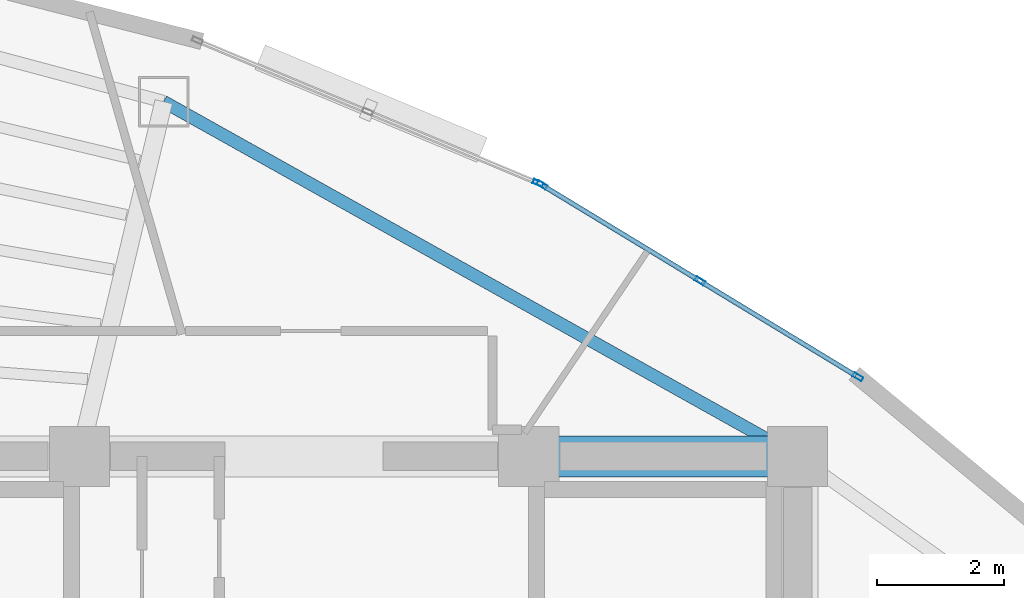
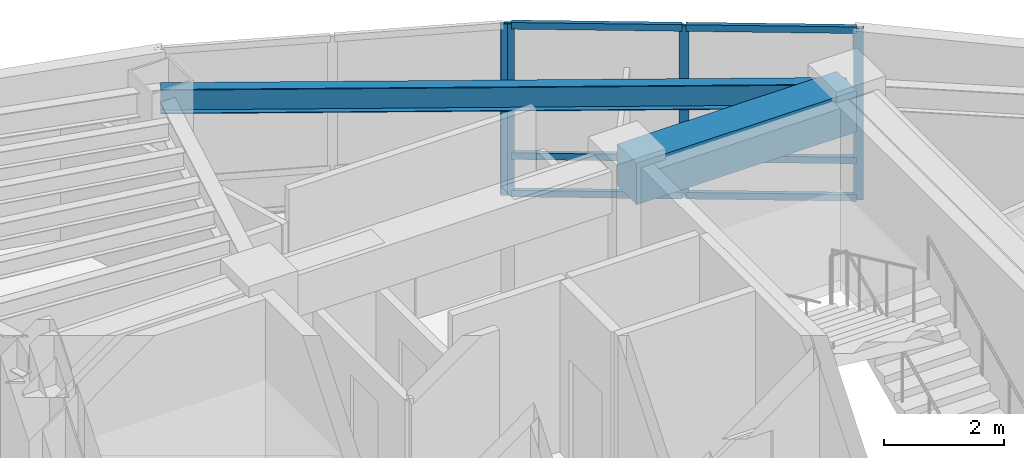
# One storey, part 10 of 15: 10 members, 2 beams, 2 elements without a shape of their own.
"""IFC4 building model written with IfcOpenShell, lengths in metres."""

import ifcopenshell
import ifcopenshell.guid

model = None  # the IFC model being written
_history = None  # IfcOwnerHistory: only IFC2X3 demands one
_inside = {}  # id of a spatial element -> (the spatial element, [elements in it])
_under = {}  # id of a project, library or spatial element -> (it, [spatial elements below it])
_declared = {}  # id of a project -> (the project, [libraries it declares])
_typed = {}  # id of a type object -> (the type object, [elements of that type])
_made_of = {}  # id of a material, layer set ... -> (it, [elements and type objects made of it])


def new_model(schema):
    """Start an empty IFC model of exactly this schema.

    Asked for "IFC4X3", IfcOpenShell would pick the latest addendum, in which some entities
    have other attributes; the version numbers below select the first issue.
    IFC2X3 requires an IfcOwnerHistory on every rooted entity: one is made here for all.
    """
    global model, _history
    if schema == "IFC4X3":
        model = ifcopenshell.file(schema_version=(4, 3, 0, 0))
    else:
        model = ifcopenshell.file(schema=schema)
    _inside.clear()
    _under.clear()
    _declared.clear()
    _typed.clear()
    _made_of.clear()
    _history = None
    if model.schema == "IFC2X3":
        org = make("IfcOrganization", Name="unknown")
        user = make(
            "IfcPersonAndOrganization",
            ThePerson=make("IfcPerson", FamilyName="unknown"),
            TheOrganization=org,
        )
        app = make(
            "IfcApplication",
            ApplicationDeveloper=org,
            Version="unknown",
            ApplicationFullName="unknown",
            ApplicationIdentifier="unknown",
        )
        _history = make(
            "IfcOwnerHistory",
            OwningUser=user,
            OwningApplication=app,
            ChangeAction="ADDED",
            CreationDate=0,
        )
    return model


def make(cls, **values):
    """One entity of the class cls with the attributes given. An attribute that is None is left unset."""
    return model.create_entity(
        cls, **{name: value for name, value in values.items() if value is not None}
    )


def rooted(cls, **values):
    """An entity with a GlobalId (a new one), such as an element, a storey or a relation."""
    return make(cls, GlobalId=ifcopenshell.guid.new(), OwnerHistory=_history, **values)


def si_unit(unit_type, name, prefix=None):
    """IfcSIUnit, for example si_unit("LENGTHUNIT", "METRE", prefix="MILLI")."""
    return make("IfcSIUnit", UnitType=unit_type, Prefix=prefix, Name=name)


def assignment(units):
    """IfcUnitAssignment: the units of a project."""
    return None if units is None else make("IfcUnitAssignment", Units=units)


def point(xyz):
    """IfcCartesianPoint."""
    return None if xyz is None else make("IfcCartesianPoint", Coordinates=xyz)


def direction(xyz):
    """IfcDirection."""
    return None if xyz is None else make("IfcDirection", DirectionRatios=xyz)


def frame(location, z_axis=None, x_axis=None):
    """IfcAxis2Placement3D, a coordinate frame: its origin and axes. An axis left out is left unset."""
    return make(
        "IfcAxis2Placement3D",
        Location=point(location),
        Axis=direction(z_axis),
        RefDirection=direction(x_axis),
    )


def frame_2d(location, x_axis=None):
    """IfcAxis2Placement2D, a coordinate frame in the plane: its origin and x axis."""
    return make(
        "IfcAxis2Placement2D", Location=point(location), RefDirection=direction(x_axis)
    )


def origin():
    """The frame at (0, 0, 0) with its axes left unset."""
    return frame((0.0, 0.0, 0.0))


def origin_2d():
    """The frame at (0, 0) in the plane with its x axis left unset."""
    return frame_2d((0.0, 0.0))


def place(relative_to, where):
    """IfcLocalPlacement: puts the frame where relative to a parent placement (None: the world)."""
    return make(
        "IfcLocalPlacement", PlacementRelTo=relative_to, RelativePlacement=where
    )


def context(
    kind, dimensions, precision=None, world=None, true_north=None, identifier=None
):
    """IfcGeometricRepresentationContext, for example the 3D "Model" context."""
    return make(
        "IfcGeometricRepresentationContext",
        ContextIdentifier=identifier,
        ContextType=kind,
        CoordinateSpaceDimension=dimensions,
        Precision=precision,
        WorldCoordinateSystem=world,
        TrueNorth=true_north,
    )


def subcontext(parent, identifier, kind, view, scale=None):
    """IfcGeometricRepresentationSubContext, for example "Body" below "Model"."""
    return make(
        "IfcGeometricRepresentationSubContext",
        ContextIdentifier=identifier,
        ContextType=kind,
        ParentContext=parent,
        TargetScale=scale,
        TargetView=view,
    )


def project(units=None, contexts=None):
    """IfcProject with its units and contexts."""
    return rooted(
        "IfcProject",
        Name="project",
        RepresentationContexts=contexts,
        UnitsInContext=assignment(units),
    )


def spatial(cls, under=None, at=None, **own):
    """A site, building, storey or space (cls), placed at a placement, below another one or the project."""
    s = rooted(cls, ObjectPlacement=at, **own)
    if under is not None:
        _under.setdefault(under.id(), (under, []))[1].append(s)
    return s


def profile(cls, at=None, kind="AREA", **sizes):
    """A parametric profile (cls). Its sizes go by their IFC names, for example OverallWidth=200.0."""
    return make(cls, ProfileType=kind, Position=at, **sizes)


def rectangle(**sizes):
    """IfcRectangleProfileDef."""
    return profile("IfcRectangleProfileDef", **sizes)


def hollow_rectangle(**sizes):
    """IfcRectangleHollowProfileDef."""
    return profile("IfcRectangleHollowProfileDef", **sizes)


def i_section(**sizes):
    """IfcIShapeProfileDef."""
    return profile("IfcIShapeProfileDef", **sizes)


def extrude(swept, where, along, depth):
    """IfcExtrudedAreaSolid: the profile swept, set in the frame where, extruded along a direction by depth."""
    return make(
        "IfcExtrudedAreaSolid",
        SweptArea=swept,
        Position=where,
        ExtrudedDirection=direction(along),
        Depth=depth,
    )


def shape(context_of_items, identifier, shape_type, items):
    """IfcShapeRepresentation: the items that make up one representation, for example the "Body"."""
    return make(
        "IfcShapeRepresentation",
        ContextOfItems=context_of_items,
        RepresentationIdentifier=identifier,
        RepresentationType=shape_type,
        Items=items,
    )


def material(Name=None, Category=None):
    """IfcMaterial."""
    return make("IfcMaterial", Name=Name, Category=Category)


def layer(
    of_material, thickness, ventilated=None, Name=None, Category=None, Priority=None
):
    """IfcMaterialLayer: one layer of a wall or slab, of a material (None: an air gap)."""
    return make(
        "IfcMaterialLayer",
        Material=of_material,
        LayerThickness=thickness,
        IsVentilated=ventilated,
        Name=Name,
        Category=Category,
        Priority=Priority,
    )


def layer_set(layers, Name=None):
    """IfcMaterialLayerSet."""
    return make("IfcMaterialLayerSet", MaterialLayers=layers, LayerSetName=Name)


def material_profile(
    of_material, cross_section, Name=None, Category=None, Priority=None
):
    """IfcMaterialProfile: a cross section and its material."""
    return make(
        "IfcMaterialProfile",
        Name=Name,
        Material=of_material,
        Profile=cross_section,
        Priority=Priority,
        Category=Category,
    )


def profile_set(profiles, Name=None, composite=None):
    """IfcMaterialProfileSet."""
    return make(
        "IfcMaterialProfileSet",
        Name=Name,
        MaterialProfiles=profiles,
        CompositeProfile=composite,
    )


def made_of(thing, what):
    """Note that an element or type object is made of a material, layer set ...; save() writes the relation."""
    if what is not None:
        _made_of.setdefault(what.id(), (what, []))[1].append(thing)
    return thing


def type_object(cls, material=None, **own):
    """A type object (cls), such as IfcWallType, which elements share."""
    return made_of(rooted(cls, **own), material)


def element(
    cls,
    number,
    at=None,
    inside=None,
    cuts=None,
    type_object=None,
    material=None,
    context=None,
    identifier="Body",
    shape_type=None,
    held_by="IfcProductDefinitionShape",
    body=None,
    shapes=None,
    **own,
):
    """One element of the class cls, such as IfcWall. Its Tag is "e" and its number.

    at: its placement. inside: the storey or other place that contains it. cuts: it is an
    opening in that element (IfcRelVoidsElement). A single representation is given by context,
    identifier, shape_type and body (its items); several are given by shapes. held_by: the class
    of the entity that holds the representations. save() writes the other relations.
    """
    e = rooted(cls, Tag="e%d" % number, ObjectPlacement=at, **own)
    if body is not None:
        shapes = [shape(context, identifier, shape_type, body)]
    if shapes is not None:
        e.Representation = make(held_by, Representations=shapes)
    if inside is not None:
        _inside.setdefault(inside.id(), (inside, []))[1].append(e)
    if cuts is not None:
        rooted(
            "IfcRelVoidsElement", RelatingBuildingElement=cuts, RelatedOpeningElement=e
        )
    if type_object is not None:
        _typed.setdefault(type_object.id(), (type_object, []))[1].append(e)
    return made_of(e, material)


def aggregate(whole, parts):
    """IfcRelAggregates: a whole, such as a stair, and the parts it consists of."""
    return rooted("IfcRelAggregates", RelatingObject=whole, RelatedObjects=parts)


def save(model, path):
    """Write the relations noted so far, then the file.

    IfcRelAggregates (storeys below a building ...), IfcRelContainedInSpatialStructure (elements
    in a storey), IfcRelDefinesByType, IfcRelAssociatesMaterial and IfcRelDeclares: one each for
    every whole, place, type object, material and project.
    """
    for whole, parts in _under.values():
        aggregate(whole, parts)
    for where, things in _inside.values():
        rooted(
            "IfcRelContainedInSpatialStructure",
            RelatedElements=things,
            RelatingStructure=where,
        )
    for kind, things in _typed.values():
        rooted("IfcRelDefinesByType", RelatedObjects=things, RelatingType=kind)
    for what, things in _made_of.values():
        rooted("IfcRelAssociatesMaterial", RelatedObjects=things, RelatingMaterial=what)
    for by, libraries in _declared.values():
        rooted("IfcRelDeclares", RelatingContext=by, RelatedDefinitions=libraries)
    model.write(path)


model = new_model("IFC4")

# Units and contexts
model_context = context("Model", 3, precision=1e-05, world=origin(), true_north=direction((0.0, 1.0)))
body_context = subcontext(model_context, "Body", "Model", "MODEL_VIEW")
ifc_project = project(units=[si_unit("LENGTHUNIT", "METRE"), si_unit("AREAUNIT", "SQUARE_METRE"), si_unit("VOLUMEUNIT", "CUBIC_METRE"), si_unit("PLANEANGLEUNIT", "RADIAN"), si_unit("MASSUNIT", "GRAM", prefix="KILO")], contexts=[model_context])

# Site, building, storey
site_placement = place(None, origin())
site = spatial("IfcSite", under=ifc_project, at=site_placement, CompositionType="ELEMENT")
building_placement = place(site_placement, origin())
building = spatial("IfcBuilding", under=site, at=building_placement, Name="Menara Vayukalpa", CompositionType="ELEMENT")
storey_placement = place(building_placement, frame((0.0, 0.0, 284.340087890625)))
storey = spatial("IfcBuildingStorey", under=building, at=storey_placement, Name="L72", CompositionType="ELEMENT", Elevation=284.340087890625)

# Beams
ifc_material_1 = material(Name="Concrete C60/75", Category="concrete")
ifc_material_profile_1 = material_profile(ifc_material_1, rectangle(XDim=0.64990234375, YDim=0.85009765625, at=origin_2d()), Name="RC 650x850")
ifc_profile_set_1 = profile_set([ifc_material_profile_1], Name="Concrete C60/75")
beam_type_1 = type_object("IfcBeamType", Name="BM-CB1", PredefinedType="BEAM", material=ifc_profile_set_1)
beam_1_placement = place(storey_placement, frame((29.14990234375, 26.800048828125, 3.074951171875), z_axis=(1.0, 0.0, 0.0), x_axis=(0.0, 1.0, 0.0)))
element("IfcBeam", 1, at=beam_1_placement, inside=storey, type_object=beam_type_1, Name="L72 Core Tie Beam CBR6", PredefinedType="BEAM", context=body_context, shape_type="SweptSolid", body=[
    extrude(rectangle(XDim=0.64990234375, YDim=0.85009765625, at=origin_2d()), origin(), (0.0, 0.0, 1.0), 4.25),
])
ifc_material_2 = material(Name="Steel S355", Category="steel")
ifc_material_profile_2 = material_profile(ifc_material_2, i_section(OverallWidth=0.199951171875, OverallDepth=0.5, WebThickness=0.010009765625, FlangeThickness=0.01611328125, at=origin_2d()), Name="WF 500x200x10x16")
ifc_profile_set_2 = profile_set([ifc_material_profile_2], Name="Steel S355")
beam_type_2 = type_object("IfcBeamType", Name="BM-SP3", PredefinedType="SPANDREL", material=ifc_profile_set_2)
beam_2_placement = place(storey_placement, frame((33.39990234375, 26.800048828125, 3.25), z_axis=(-0.87270577288, 0.48824648896, 0.0), x_axis=(-0.48824648896, -0.87270577288, 0.0)))
element("IfcBeam", 2, at=beam_2_placement, inside=storey, type_object=beam_type_2, Name="L72 Perimeter Spandrel Beam SP02", PredefinedType="SPANDREL", context=body_context, shape_type="SweptSolid", body=[
    extrude(i_section(OverallWidth=0.199951171875, OverallDepth=0.5, WebThickness=0.010009765625, FlangeThickness=0.01611328125, at=origin_2d()), origin(), (0.0, 0.0, 1.0), 11.479248046875),
])

# Curtain wall, members
ifc_material_3 = material(Name="Anodised Terracotta Aluminium Alloy 6063-T6", Category="masonry")
ifc_layer = layer(ifc_material_3, 0.1650390625)
ifc_layer_set = layer_set([ifc_layer], Name="Anodised Terracotta Aluminium Alloy 6063-T6")
curtain_wall_type = type_object("IfcCurtainWallType", Name="CW-CW6", PredefinedType="USERDEFINED", material=ifc_layer_set)
curtain_wall_1_placement = place(storey_placement, origin())
curtain_wall_1 = element("IfcCurtainWall", 3, at=curtain_wall_1_placement, inside=storey, type_object=curtain_wall_type, Name="L72 Observation and Executive Curtain Wall CW6 04", ObjectType="UNITISED", PredefinedType="USERDEFINED")
ifc_material_4 = material(Name="Anodised Terracotta Aluminium Alloy 6063-T6", Category="masonry")
ifc_material_profile_3 = material_profile(ifc_material_4, hollow_rectangle(XDim=0.070068359375, YDim=0.1650390625, WallThickness=0.00390625, at=origin_2d()), Name="ALU 70x165x4")
ifc_profile_set_3 = profile_set([ifc_material_profile_3], Name="Anodised Terracotta Aluminium Alloy 6063-T6")
member_type_1 = type_object("IfcMemberType", Name="CWM-CW6", PredefinedType="MULLION", material=ifc_profile_set_3)
member_1_placement = place(storey_placement, frame((34.35009765625, 28.056396484375, 0.0), z_axis=(0.0, 0.0, 1.0), x_axis=(-0.519175574558, -0.854667609532, 0.0)))
member_1 = element("IfcMember", 4, at=member_1_placement, type_object=member_type_1, Name="CW6 mullion 1", PredefinedType="MULLION", context=body_context, shape_type="SweptSolid", body=[
    extrude(hollow_rectangle(XDim=0.070068359375, YDim=0.1650390625, WallThickness=0.00390625, at=origin_2d()), origin(), (0.0, 0.0, 1.0), 3.5),
])
member_2_placement = place(storey_placement, frame((31.85546875, 29.57177734375, 0.0), z_axis=(0.0, 0.0, 1.0), x_axis=(-0.519175574558, -0.854667609532, 0.0)))
member_2 = element("IfcMember", 5, at=member_2_placement, type_object=member_type_1, Name="CW6 mullion 2", PredefinedType="MULLION", context=body_context, shape_type="SweptSolid", body=[
    extrude(hollow_rectangle(XDim=0.070068359375, YDim=0.1650390625, WallThickness=0.00390625, at=origin_2d()), origin(), (0.0, 0.0, 1.0), 3.5),
])
member_3_placement = place(storey_placement, frame((29.36083984375, 31.087158203125, 0.0), z_axis=(0.0, 0.0, 1.0), x_axis=(-0.519175574558, -0.854667609532, 0.0)))
member_3 = element("IfcMember", 6, at=member_3_placement, type_object=member_type_1, Name="CW6 mullion 3", PredefinedType="MULLION", context=body_context, shape_type="SweptSolid", body=[
    extrude(hollow_rectangle(XDim=0.070068359375, YDim=0.1650390625, WallThickness=0.00390625, at=origin_2d()), origin(), (0.0, 0.0, 1.0), 3.5),
])

# Curtain wall, member
curtain_wall_2_placement = place(storey_placement, origin())
curtain_wall_2 = element("IfcCurtainWall", 7, at=curtain_wall_2_placement, inside=storey, type_object=curtain_wall_type, Name="L72 Observation and Executive Curtain Wall CW6 05", ObjectType="UNITISED", PredefinedType="USERDEFINED")
member_4_placement = place(storey_placement, frame((29.298828125, 31.118896484375, 0.0), z_axis=(0.0, 0.0, 1.0), x_axis=(-0.385899911703, -0.922540653927, 0.0)))
member_4 = element("IfcMember", 8, at=member_4_placement, type_object=member_type_1, Name="CW6 mullion 1", PredefinedType="MULLION", context=body_context, shape_type="SweptSolid", body=[
    extrude(hollow_rectangle(XDim=0.070068359375, YDim=0.1650390625, WallThickness=0.00390625, at=origin_2d()), origin(), (0.0, 0.0, 1.0), 3.5),
])
aggregate(curtain_wall_2, [member_4])

# Member
ifc_material_5 = material(Name="Anodised Terracotta Aluminium Alloy 6063-T6", Category="masonry")
ifc_material_profile_4 = material_profile(ifc_material_5, hollow_rectangle(XDim=0.074951171875, YDim=0.135009765625, WallThickness=0.00390625, at=origin_2d()), Name="ALU 75x135x4")
ifc_profile_set_4 = profile_set([ifc_material_profile_4], Name="Anodised Terracotta Aluminium Alloy 6063-T6")
member_type_2 = type_object("IfcMemberType", Name="CWT-CW6", PredefinedType="USERDEFINED", material=ifc_profile_set_4)
member_5_placement = place(storey_placement, frame((34.320068359375, 28.07470703125, 0.037353515625), z_axis=(-0.854674800659, 0.519163736328, 0.0), x_axis=(-0.519163736328, -0.85467480066, 0.0)))
member_5 = element("IfcMember", 9, at=member_5_placement, type_object=member_type_2, Name="CW6 transom 1.1", ObjectType="TRANSOM", PredefinedType="USERDEFINED", context=body_context, shape_type="SweptSolid", body=[
    extrude(hollow_rectangle(XDim=0.074951171875, YDim=0.135009765625, WallThickness=0.00390625, at=origin_2d()), origin(), (0.0, 0.0, 1.0), 2.848876953125),
])

member_6_placement = place(storey_placement, frame((34.320068359375, 28.07470703125, 0.7998046875), z_axis=(-0.854674800659, 0.519163736328, 0.0), x_axis=(-0.519163736328, -0.85467480066, 0.0)))
member_6 = element("IfcMember", 10, at=member_6_placement, type_object=member_type_2, Name="CW6 transom 1.2", ObjectType="TRANSOM", PredefinedType="USERDEFINED", context=body_context, shape_type="SweptSolid", body=[
    extrude(hollow_rectangle(XDim=0.074951171875, YDim=0.135009765625, WallThickness=0.00390625, at=origin_2d()), origin(), (0.0, 0.0, 1.0), 2.848876953125),
])

member_7_placement = place(storey_placement, frame((34.320068359375, 28.07470703125, 3.46240234375), z_axis=(-0.854674800659, 0.519163736328, 0.0), x_axis=(-0.519163736328, -0.85467480066, 0.0)))
member_7 = element("IfcMember", 11, at=member_7_placement, type_object=member_type_2, Name="CW6 transom 1.3", ObjectType="TRANSOM", PredefinedType="USERDEFINED", context=body_context, shape_type="SweptSolid", body=[
    extrude(hollow_rectangle(XDim=0.074951171875, YDim=0.135009765625, WallThickness=0.00390625, at=origin_2d()), origin(), (0.0, 0.0, 1.0), 2.848876953125),
])

member_8_placement = place(storey_placement, frame((31.825439453125, 29.590087890625, 0.037353515625), z_axis=(-0.854689729536, 0.519139158825, 0.0), x_axis=(-0.519139158825, -0.854689729536, 0.0)))
member_8 = element("IfcMember", 12, at=member_8_placement, type_object=member_type_2, Name="CW6 transom 2.1", ObjectType="TRANSOM", PredefinedType="USERDEFINED", context=body_context, shape_type="SweptSolid", body=[
    extrude(hollow_rectangle(XDim=0.074951171875, YDim=0.135009765625, WallThickness=0.00390625, at=origin_2d()), origin(), (0.0, 0.0, 1.0), 2.848388671875),
])

member_9_placement = place(storey_placement, frame((31.825439453125, 29.590087890625, 0.7998046875), z_axis=(-0.854689729536, 0.519139158825, 0.0), x_axis=(-0.519139158825, -0.854689729536, 0.0)))
member_9 = element("IfcMember", 13, at=member_9_placement, type_object=member_type_2, Name="CW6 transom 2.2", ObjectType="TRANSOM", PredefinedType="USERDEFINED", context=body_context, shape_type="SweptSolid", body=[
    extrude(hollow_rectangle(XDim=0.074951171875, YDim=0.135009765625, WallThickness=0.00390625, at=origin_2d()), origin(), (0.0, 0.0, 1.0), 2.848388671875),
])

member_10_placement = place(storey_placement, frame((31.825439453125, 29.590087890625, 3.46240234375), z_axis=(-0.854689729536, 0.519139158825, 0.0), x_axis=(-0.519139158825, -0.854689729536, 0.0)))
member_10 = element("IfcMember", 14, at=member_10_placement, type_object=member_type_2, Name="CW6 transom 2.3", ObjectType="TRANSOM", PredefinedType="USERDEFINED", context=body_context, shape_type="SweptSolid", body=[
    extrude(hollow_rectangle(XDim=0.074951171875, YDim=0.135009765625, WallThickness=0.00390625, at=origin_2d()), origin(), (0.0, 0.0, 1.0), 2.848388671875),
])

aggregate(curtain_wall_1, [member_1, member_2, member_3, member_5, member_6, member_7, member_8, member_9, member_10])

save(model, "model.ifc")
